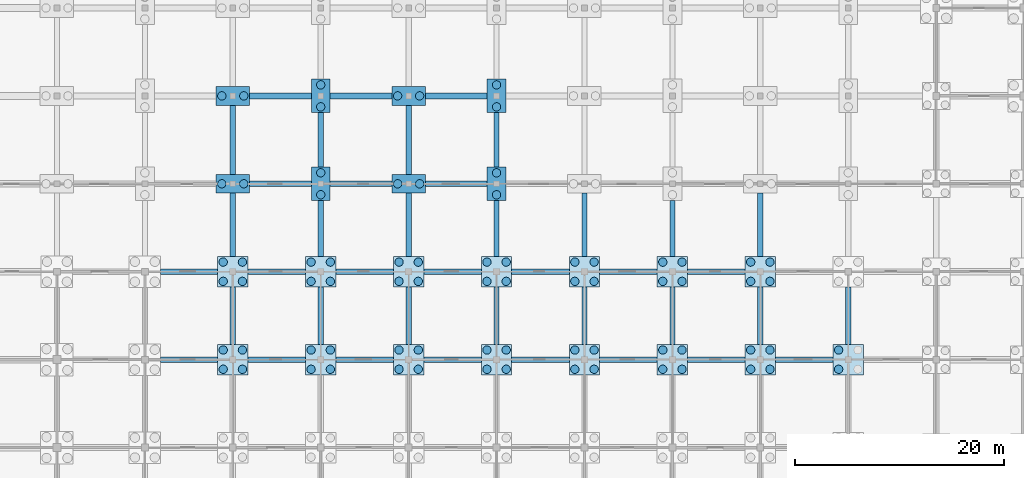
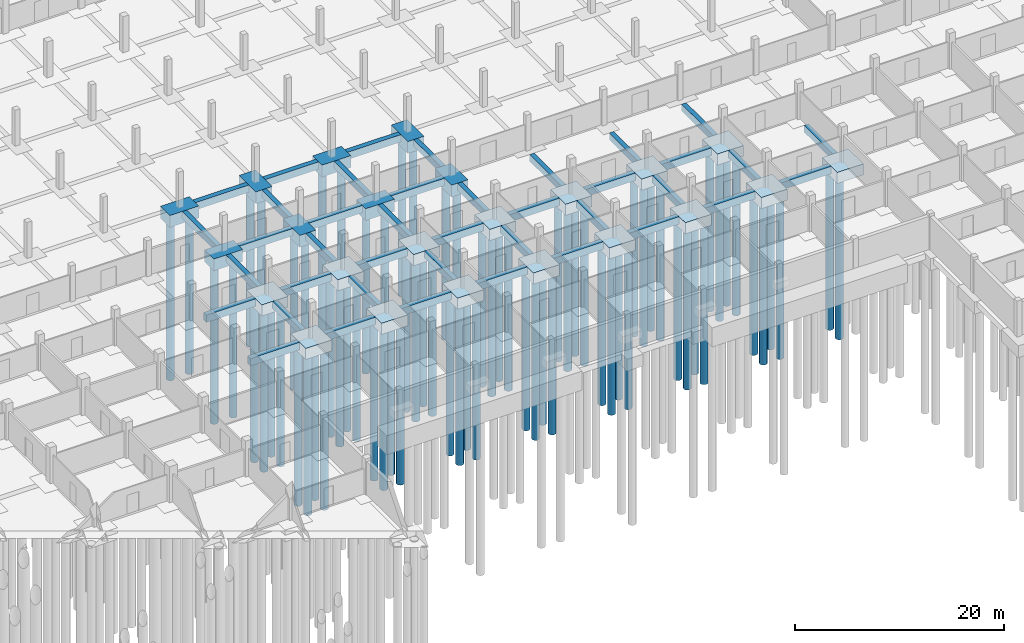
# One storey, part 5 of 43: 74 piles, 63 footings.
"""IFC4 building model written with IfcOpenShell, lengths in metres."""

from ifc_helpers import new_model, si_unit, direction, frame, origin, origin_2d, place, context, subcontext, project, spatial, rectangle, circle, extrude, material, material_profile, profile_set, type_object, element, save


model = new_model("IFC4")

# Units and contexts
model_context = context("Model", 3, precision=1e-05, world=origin(), true_north=direction((0.0, 1.0)))
body_context = subcontext(model_context, "Body", "Model", "MODEL_VIEW")
ifc_project = project(units=[si_unit("LENGTHUNIT", "METRE"), si_unit("AREAUNIT", "SQUARE_METRE"), si_unit("VOLUMEUNIT", "CUBIC_METRE"), si_unit("PLANEANGLEUNIT", "RADIAN"), si_unit("MASSUNIT", "GRAM", prefix="KILO")], contexts=[model_context])

# Site, building, storey
site_placement = place(None, origin())
site = spatial("IfcSite", under=ifc_project, at=site_placement, CompositionType="ELEMENT")
building_placement = place(site_placement, origin())
building = spatial("IfcBuilding", under=site, at=building_placement, Name="Varnapada Polytechnic", CompositionType="ELEMENT")
storey_placement = place(building_placement, frame((0.0, 0.0, -4.199951171875)))
storey = spatial("IfcBuildingStorey", under=building, at=storey_placement, Name="B1", CompositionType="ELEMENT", Elevation=-4.199951171875)

# Piles
ifc_material = material(Name="Concrete C40/50", Category="concrete")
ifc_material_profile = material_profile(ifc_material, circle(Radius=0.39990234375, at=origin_2d()), Name="BP 800")
ifc_profile_set = profile_set([ifc_material_profile], Name="Concrete C40/50")
pile_type = type_object("IfcPileType", Name="Bored Pile BP 800", PredefinedType="BORED", material=ifc_profile_set)
for number, where, z_axis, x_axis, name in (
    (1, (66.280029296875, 32.679931640625, -1.199951171875), (0.0, 0.0, -1.0), (1.0, 0.0, 0.0), "Bored pile P-03 under CAP-08-04 (1)"),
    (2, (68.1201171875, 32.679931640625, -1.199951171875), (0.0, 0.0, -1.0), (1.0, 0.0, 0.0), "Bored pile P-03 under CAP-08-04 (2)"),
    (3, (66.280029296875, 34.52001953125, -1.199951171875), (0.0, 0.0, -1.0), (1.0, 0.0, 0.0), "Bored pile P-03 under CAP-08-04 (3)"),
    (4, (68.1201171875, 34.52001953125, -1.199951171875), (0.0, 0.0, -1.0), (1.0, 0.0, 0.0), "Bored pile P-03 under CAP-08-04 (4)"),
    (5, (66.280029296875, 41.080078125, -1.199951171875), (0.0, 0.0, -1.0), (1.0, 0.0, 0.0), "Bored pile P-03 under CAP-08-05 (1)"),
    (6, (68.1201171875, 41.080078125, -1.199951171875), (0.0, 0.0, -1.0), (1.0, 0.0, 0.0), "Bored pile P-03 under CAP-08-05 (2)"),
    (7, (66.280029296875, 42.919921875, -1.199951171875), (0.0, 0.0, -1.0), (1.0, 0.0, 0.0), "Bored pile P-03 under CAP-08-05 (3)"),
    (8, (68.1201171875, 42.919921875, -1.199951171875), (0.0, 0.0, -1.0), (1.0, 0.0, 0.0), "Bored pile P-03 under CAP-08-05 (4)"),
):
    element("IfcPile", number, at=place(storey_placement, frame(where, z_axis=z_axis, x_axis=x_axis)), inside=storey, type_object=pile_type, Name=name, PredefinedType="BORED", context=body_context, shape_type="SweptSolid", body=[
        extrude(circle(Radius=0.39990234375, at=origin_2d()), origin(), (0.0, 0.0, 1.0), 18.60009765625),
    ])
for number, where, z_axis, x_axis, name in (
    (9, (66.14990234375, 50.39990234375, -1.300048828125), (0.0, 0.0, -1.0), (1.0, 0.0, 0.0), "Bored pile P-03 under CAP-08-06 (1)"),
    (10, (68.25, 50.39990234375, -1.300048828125), (0.0, 0.0, -1.0), (1.0, 0.0, 0.0), "Bored pile P-03 under CAP-08-06 (2)"),
    (11, (66.14990234375, 58.800048828125, -1.300048828125), (0.0, 0.0, -1.0), (1.0, 0.0, 0.0), "Bored pile P-03 under CAP-08-07 (1)"),
    (12, (68.25, 58.800048828125, -1.300048828125), (0.0, 0.0, -1.0), (1.0, 0.0, 0.0), "Bored pile P-03 under CAP-08-07 (2)"),
):
    element("IfcPile", number, at=place(storey_placement, frame(where, z_axis=z_axis, x_axis=x_axis)), inside=storey, type_object=pile_type, Name=name, PredefinedType="BORED", context=body_context, shape_type="SweptSolid", body=[
        extrude(circle(Radius=0.39990234375, at=origin_2d()), origin(), (0.0, 0.0, 1.0), 18.5),
    ])
for number, where, z_axis, x_axis, name in (
    (13, (74.679931640625, 32.679931640625, -1.199951171875), (0.0, 0.0, -1.0), (1.0, 0.0, 0.0), "Bored pile P-03 under CAP-09-04 (1)"),
    (14, (76.52001953125, 32.679931640625, -1.199951171875), (0.0, 0.0, -1.0), (1.0, 0.0, 0.0), "Bored pile P-03 under CAP-09-04 (2)"),
    (15, (74.679931640625, 34.52001953125, -1.199951171875), (0.0, 0.0, -1.0), (1.0, 0.0, 0.0), "Bored pile P-03 under CAP-09-04 (3)"),
    (16, (76.52001953125, 34.52001953125, -1.199951171875), (0.0, 0.0, -1.0), (1.0, 0.0, 0.0), "Bored pile P-03 under CAP-09-04 (4)"),
    (17, (74.679931640625, 41.080078125, -1.199951171875), (0.0, 0.0, -1.0), (1.0, 0.0, 0.0), "Bored pile P-03 under CAP-09-05 (1)"),
    (18, (76.52001953125, 41.080078125, -1.199951171875), (0.0, 0.0, -1.0), (1.0, 0.0, 0.0), "Bored pile P-03 under CAP-09-05 (2)"),
    (19, (74.679931640625, 42.919921875, -1.199951171875), (0.0, 0.0, -1.0), (1.0, 0.0, 0.0), "Bored pile P-03 under CAP-09-05 (3)"),
    (20, (76.52001953125, 42.919921875, -1.199951171875), (0.0, 0.0, -1.0), (1.0, 0.0, 0.0), "Bored pile P-03 under CAP-09-05 (4)"),
):
    element("IfcPile", number, at=place(storey_placement, frame(where, z_axis=z_axis, x_axis=x_axis)), inside=storey, type_object=pile_type, Name=name, PredefinedType="BORED", context=body_context, shape_type="SweptSolid", body=[
        extrude(circle(Radius=0.39990234375, at=origin_2d()), origin(), (0.0, 0.0, 1.0), 18.60009765625),
    ])
for number, where, z_axis, x_axis, name in (
    (21, (75.60009765625, 49.35009765625, -1.300048828125), (0.0, 0.0, -1.0), (1.0, 0.0, 0.0), "Bored pile P-03 under CAP-09-06 (1)"),
    (22, (75.60009765625, 51.449951171875, -1.300048828125), (0.0, 0.0, -1.0), (1.0, 0.0, 0.0), "Bored pile P-03 under CAP-09-06 (2)"),
    (23, (75.60009765625, 57.75, -1.300048828125), (0.0, 0.0, -1.0), (1.0, 0.0, 0.0), "Bored pile P-03 under CAP-09-07 (1)"),
    (24, (75.60009765625, 59.85009765625, -1.300048828125), (0.0, 0.0, -1.0), (1.0, 0.0, 0.0), "Bored pile P-03 under CAP-09-07 (2)"),
):
    element("IfcPile", number, at=place(storey_placement, frame(where, z_axis=z_axis, x_axis=x_axis)), inside=storey, type_object=pile_type, Name=name, PredefinedType="BORED", context=body_context, shape_type="SweptSolid", body=[
        extrude(circle(Radius=0.39990234375, at=origin_2d()), origin(), (0.0, 0.0, 1.0), 18.5),
    ])
for number, where, z_axis, x_axis, name in (
    (25, (83.080078125, 32.679931640625, -1.199951171875), (0.0, 0.0, -1.0), (1.0, 0.0, 0.0), "Bored pile P-03 under CAP-10-04 (1)"),
    (26, (84.919921875, 32.679931640625, -1.199951171875), (0.0, 0.0, -1.0), (1.0, 0.0, 0.0), "Bored pile P-03 under CAP-10-04 (2)"),
    (27, (83.080078125, 34.52001953125, -1.199951171875), (0.0, 0.0, -1.0), (1.0, 0.0, 0.0), "Bored pile P-03 under CAP-10-04 (3)"),
    (28, (84.919921875, 34.52001953125, -1.199951171875), (0.0, 0.0, -1.0), (1.0, 0.0, 0.0), "Bored pile P-03 under CAP-10-04 (4)"),
    (29, (83.080078125, 41.080078125, -1.199951171875), (0.0, 0.0, -1.0), (1.0, 0.0, 0.0), "Bored pile P-03 under CAP-10-05 (1)"),
    (30, (84.919921875, 41.080078125, -1.199951171875), (0.0, 0.0, -1.0), (1.0, 0.0, 0.0), "Bored pile P-03 under CAP-10-05 (2)"),
    (31, (83.080078125, 42.919921875, -1.199951171875), (0.0, 0.0, -1.0), (1.0, 0.0, 0.0), "Bored pile P-03 under CAP-10-05 (3)"),
    (32, (84.919921875, 42.919921875, -1.199951171875), (0.0, 0.0, -1.0), (1.0, 0.0, 0.0), "Bored pile P-03 under CAP-10-05 (4)"),
):
    element("IfcPile", number, at=place(storey_placement, frame(where, z_axis=z_axis, x_axis=x_axis)), inside=storey, type_object=pile_type, Name=name, PredefinedType="BORED", context=body_context, shape_type="SweptSolid", body=[
        extrude(circle(Radius=0.39990234375, at=origin_2d()), origin(), (0.0, 0.0, 1.0), 18.60009765625),
    ])
for number, where, z_axis, x_axis, name in (
    (33, (82.949951171875, 50.39990234375, -1.300048828125), (0.0, 0.0, -1.0), (1.0, 0.0, 0.0), "Bored pile P-03 under CAP-10-06 (1)"),
    (34, (85.050048828125, 50.39990234375, -1.300048828125), (0.0, 0.0, -1.0), (1.0, 0.0, 0.0), "Bored pile P-03 under CAP-10-06 (2)"),
    (35, (82.949951171875, 58.800048828125, -1.300048828125), (0.0, 0.0, -1.0), (1.0, 0.0, 0.0), "Bored pile P-03 under CAP-10-07 (1)"),
    (36, (85.050048828125, 58.800048828125, -1.300048828125), (0.0, 0.0, -1.0), (1.0, 0.0, 0.0), "Bored pile P-03 under CAP-10-07 (2)"),
):
    element("IfcPile", number, at=place(storey_placement, frame(where, z_axis=z_axis, x_axis=x_axis)), inside=storey, type_object=pile_type, Name=name, PredefinedType="BORED", context=body_context, shape_type="SweptSolid", body=[
        extrude(circle(Radius=0.39990234375, at=origin_2d()), origin(), (0.0, 0.0, 1.0), 18.5),
    ])
for number, where, z_axis, x_axis, name in (
    (37, (91.47998046875, 32.679931640625, -1.199951171875), (0.0, 0.0, -1.0), (1.0, 0.0, 0.0), "Bored pile P-03 under CAP-11-04 (1)"),
    (38, (93.320068359375, 32.679931640625, -1.199951171875), (0.0, 0.0, -1.0), (1.0, 0.0, 0.0), "Bored pile P-03 under CAP-11-04 (2)"),
    (39, (91.47998046875, 34.52001953125, -1.199951171875), (0.0, 0.0, -1.0), (1.0, 0.0, 0.0), "Bored pile P-03 under CAP-11-04 (3)"),
    (40, (93.320068359375, 34.52001953125, -1.199951171875), (0.0, 0.0, -1.0), (1.0, 0.0, 0.0), "Bored pile P-03 under CAP-11-04 (4)"),
    (41, (91.47998046875, 41.080078125, -1.199951171875), (0.0, 0.0, -1.0), (1.0, 0.0, 0.0), "Bored pile P-03 under CAP-11-05 (1)"),
    (42, (93.320068359375, 41.080078125, -1.199951171875), (0.0, 0.0, -1.0), (1.0, 0.0, 0.0), "Bored pile P-03 under CAP-11-05 (2)"),
    (43, (91.47998046875, 42.919921875, -1.199951171875), (0.0, 0.0, -1.0), (1.0, 0.0, 0.0), "Bored pile P-03 under CAP-11-05 (3)"),
    (44, (93.320068359375, 42.919921875, -1.199951171875), (0.0, 0.0, -1.0), (1.0, 0.0, 0.0), "Bored pile P-03 under CAP-11-05 (4)"),
):
    element("IfcPile", number, at=place(storey_placement, frame(where, z_axis=z_axis, x_axis=x_axis)), inside=storey, type_object=pile_type, Name=name, PredefinedType="BORED", context=body_context, shape_type="SweptSolid", body=[
        extrude(circle(Radius=0.39990234375, at=origin_2d()), origin(), (0.0, 0.0, 1.0), 18.60009765625),
    ])
for number, where, z_axis, x_axis, name in (
    (45, (92.39990234375, 49.35009765625, -1.300048828125), (0.0, 0.0, -1.0), (1.0, 0.0, 0.0), "Bored pile P-03 under CAP-11-06 (1)"),
    (46, (92.39990234375, 51.449951171875, -1.300048828125), (0.0, 0.0, -1.0), (1.0, 0.0, 0.0), "Bored pile P-03 under CAP-11-06 (2)"),
    (47, (92.39990234375, 57.75, -1.300048828125), (0.0, 0.0, -1.0), (1.0, 0.0, 0.0), "Bored pile P-03 under CAP-11-07 (1)"),
    (48, (92.39990234375, 59.85009765625, -1.300048828125), (0.0, 0.0, -1.0), (1.0, 0.0, 0.0), "Bored pile P-03 under CAP-11-07 (2)"),
):
    element("IfcPile", number, at=place(storey_placement, frame(where, z_axis=z_axis, x_axis=x_axis)), inside=storey, type_object=pile_type, Name=name, PredefinedType="BORED", context=body_context, shape_type="SweptSolid", body=[
        extrude(circle(Radius=0.39990234375, at=origin_2d()), origin(), (0.0, 0.0, 1.0), 18.5),
    ])
for number, where, z_axis, x_axis, name in (
    (49, (99.8798828125, 32.679931640625, -1.199951171875), (0.0, 0.0, -1.0), (1.0, 0.0, 0.0), "Bored pile P-03 under CAP-12-04 (1)"),
    (50, (101.719970703125, 32.679931640625, -1.199951171875), (0.0, 0.0, -1.0), (1.0, 0.0, 0.0), "Bored pile P-03 under CAP-12-04 (2)"),
    (51, (99.8798828125, 34.52001953125, -1.199951171875), (0.0, 0.0, -1.0), (1.0, 0.0, 0.0), "Bored pile P-03 under CAP-12-04 (3)"),
    (52, (101.719970703125, 34.52001953125, -1.199951171875), (0.0, 0.0, -1.0), (1.0, 0.0, 0.0), "Bored pile P-03 under CAP-12-04 (4)"),
    (53, (99.8798828125, 41.080078125, -1.199951171875), (0.0, 0.0, -1.0), (1.0, 0.0, 0.0), "Bored pile P-03 under CAP-12-05 (1)"),
    (54, (101.719970703125, 41.080078125, -1.199951171875), (0.0, 0.0, -1.0), (1.0, 0.0, 0.0), "Bored pile P-03 under CAP-12-05 (2)"),
    (55, (99.8798828125, 42.919921875, -1.199951171875), (0.0, 0.0, -1.0), (1.0, 0.0, 0.0), "Bored pile P-03 under CAP-12-05 (3)"),
    (56, (101.719970703125, 42.919921875, -1.199951171875), (0.0, 0.0, -1.0), (1.0, 0.0, 0.0), "Bored pile P-03 under CAP-12-05 (4)"),
    (57, (108.280029296875, 32.679931640625, -1.199951171875), (0.0, 0.0, -1.0), (1.0, 0.0, 0.0), "Bored pile P-03 under CAP-13-04 (1)"),
    (58, (110.1201171875, 32.679931640625, -1.199951171875), (0.0, 0.0, -1.0), (1.0, 0.0, 0.0), "Bored pile P-03 under CAP-13-04 (2)"),
    (59, (108.280029296875, 34.52001953125, -1.199951171875), (0.0, 0.0, -1.0), (1.0, 0.0, 0.0), "Bored pile P-03 under CAP-13-04 (3)"),
    (60, (110.1201171875, 34.52001953125, -1.199951171875), (0.0, 0.0, -1.0), (1.0, 0.0, 0.0), "Bored pile P-03 under CAP-13-04 (4)"),
    (61, (108.280029296875, 41.080078125, -1.199951171875), (0.0, 0.0, -1.0), (1.0, 0.0, 0.0), "Bored pile P-03 under CAP-13-05 (1)"),
    (62, (110.1201171875, 41.080078125, -1.199951171875), (0.0, 0.0, -1.0), (1.0, 0.0, 0.0), "Bored pile P-03 under CAP-13-05 (2)"),
    (63, (108.280029296875, 42.919921875, -1.199951171875), (0.0, 0.0, -1.0), (1.0, 0.0, 0.0), "Bored pile P-03 under CAP-13-05 (3)"),
    (64, (110.1201171875, 42.919921875, -1.199951171875), (0.0, 0.0, -1.0), (1.0, 0.0, 0.0), "Bored pile P-03 under CAP-13-05 (4)"),
    (65, (116.679931640625, 32.679931640625, -1.199951171875), (0.0, 0.0, -1.0), (1.0, 0.0, 0.0), "Bored pile P-03 under CAP-14-04 (1)"),
    (66, (118.52001953125, 32.679931640625, -1.199951171875), (0.0, 0.0, -1.0), (1.0, 0.0, 0.0), "Bored pile P-03 under CAP-14-04 (2)"),
    (67, (116.679931640625, 34.52001953125, -1.199951171875), (0.0, 0.0, -1.0), (1.0, 0.0, 0.0), "Bored pile P-03 under CAP-14-04 (3)"),
    (68, (118.52001953125, 34.52001953125, -1.199951171875), (0.0, 0.0, -1.0), (1.0, 0.0, 0.0), "Bored pile P-03 under CAP-14-04 (4)"),
    (69, (116.679931640625, 41.080078125, -1.199951171875), (0.0, 0.0, -1.0), (1.0, 0.0, 0.0), "Bored pile P-03 under CAP-14-05 (1)"),
    (70, (118.52001953125, 41.080078125, -1.199951171875), (0.0, 0.0, -1.0), (1.0, 0.0, 0.0), "Bored pile P-03 under CAP-14-05 (2)"),
    (71, (116.679931640625, 42.919921875, -1.199951171875), (0.0, 0.0, -1.0), (1.0, 0.0, 0.0), "Bored pile P-03 under CAP-14-05 (3)"),
    (72, (118.52001953125, 42.919921875, -1.199951171875), (0.0, 0.0, -1.0), (1.0, 0.0, 0.0), "Bored pile P-03 under CAP-14-05 (4)"),
    (73, (125.080078125, 32.679931640625, -1.199951171875), (0.0, 0.0, -1.0), (1.0, 0.0, 0.0), "Bored pile P-03 under CAP-15-04 (1)"),
    (74, (125.080078125, 34.52001953125, -1.199951171875), (0.0, 0.0, -1.0), (1.0, 0.0, 0.0), "Bored pile P-03 under CAP-15-04 (3)"),
):
    element("IfcPile", number, at=place(storey_placement, frame(where, z_axis=z_axis, x_axis=x_axis)), inside=storey, type_object=pile_type, Name=name, PredefinedType="BORED", context=body_context, shape_type="SweptSolid", body=[
        extrude(circle(Radius=0.39990234375, at=origin_2d()), origin(), (0.0, 0.0, 1.0), 18.60009765625),
    ])

# Footings
footing_type_1 = type_object("IfcFootingType", Name="Footing GB-02", PredefinedType="FOOTING_BEAM", material=ifc_material)
footing_1_placement = place(storey_placement, frame((67.199951171875, 37.800048828125, -0.80029296875), z_axis=(0.0, 0.0, 1.0), x_axis=(0.0, 1.0, 0.0)))
element("IfcFooting", 75, at=footing_1_placement, inside=storey, type_object=footing_type_1, Name="Ground footing beam GB-02 Y 5-6", PredefinedType="FOOTING_BEAM", context=body_context, shape_type="SweptSolid", body=[
    extrude(rectangle(XDim=5.5, YDim=0.5, at=origin_2d()), origin(), (0.0, 0.0, 1.0), 0.800048828125),
])
footing_2_placement = place(storey_placement, frame((67.199951171875, 46.47509765625, -0.80029296875), z_axis=(0.0, 0.0, 1.0), x_axis=(0.0, 1.0, 0.0)))
element("IfcFooting", 76, at=footing_2_placement, inside=storey, type_object=footing_type_1, Name="Ground footing beam GB-02 Y 6-7", PredefinedType="FOOTING_BEAM", context=body_context, shape_type="SweptSolid", body=[
    extrude(rectangle(XDim=6.050048828125, YDim=0.5, at=origin_2d()), origin(), (0.0, 0.0, 1.0), 0.800048828125),
])
footing_3_placement = place(storey_placement, frame((67.199951171875, 54.60009765625, -0.80029296875), z_axis=(0.0, 0.0, 1.0), x_axis=(0.0, 1.0, 0.0)))
element("IfcFooting", 77, at=footing_3_placement, inside=storey, type_object=footing_type_1, Name="Ground footing beam GB-02 Y 7-8", PredefinedType="FOOTING_BEAM", context=body_context, shape_type="SweptSolid", body=[
    extrude(rectangle(XDim=6.60009765625, YDim=0.5, at=origin_2d()), origin(), (0.0, 0.0, 1.0), 0.800048828125),
])
footing_4_placement = place(storey_placement, frame((75.60009765625, 37.800048828125, -0.80029296875), z_axis=(0.0, 0.0, 1.0), x_axis=(0.0, 1.0, 0.0)))
element("IfcFooting", 78, at=footing_4_placement, inside=storey, type_object=footing_type_1, Name="Ground footing beam GB-02 Y 5-6", PredefinedType="FOOTING_BEAM", context=body_context, shape_type="SweptSolid", body=[
    extrude(rectangle(XDim=5.5, YDim=0.5, at=origin_2d()), origin(), (0.0, 0.0, 1.0), 0.800048828125),
])
footing_5_placement = place(storey_placement, frame((75.60009765625, 46.125, -0.80029296875), z_axis=(0.0, 0.0, 1.0), x_axis=(0.0, 1.0, 0.0)))
element("IfcFooting", 79, at=footing_5_placement, inside=storey, type_object=footing_type_1, Name="Ground footing beam GB-02 Y 6-7", PredefinedType="FOOTING_BEAM", context=body_context, shape_type="SweptSolid", body=[
    extrude(rectangle(XDim=5.35009765625, YDim=0.5, at=origin_2d()), origin(), (0.0, 0.0, 1.0), 0.800048828125),
])
footing_6_placement = place(storey_placement, frame((75.60009765625, 54.60009765625, -0.80029296875), z_axis=(0.0, 0.0, 1.0), x_axis=(0.0, 1.0, 0.0)))
element("IfcFooting", 80, at=footing_6_placement, inside=storey, type_object=footing_type_1, Name="Ground footing beam GB-02 Y 7-8", PredefinedType="FOOTING_BEAM", context=body_context, shape_type="SweptSolid", body=[
    extrude(rectangle(XDim=5.199951171875, YDim=0.5, at=origin_2d()), origin(), (0.0, 0.0, 1.0), 0.800048828125),
])
footing_7_placement = place(storey_placement, frame((84.0, 37.800048828125, -0.80029296875), z_axis=(0.0, 0.0, 1.0), x_axis=(0.0, 1.0, 0.0)))
element("IfcFooting", 81, at=footing_7_placement, inside=storey, type_object=footing_type_1, Name="Ground footing beam GB-02 Y 5-6", PredefinedType="FOOTING_BEAM", context=body_context, shape_type="SweptSolid", body=[
    extrude(rectangle(XDim=5.5, YDim=0.5, at=origin_2d()), origin(), (0.0, 0.0, 1.0), 0.800048828125),
])
footing_8_placement = place(storey_placement, frame((84.0, 46.47509765625, -0.80029296875), z_axis=(0.0, 0.0, 1.0), x_axis=(0.0, 1.0, 0.0)))
element("IfcFooting", 82, at=footing_8_placement, inside=storey, type_object=footing_type_1, Name="Ground footing beam GB-02 Y 6-7", PredefinedType="FOOTING_BEAM", context=body_context, shape_type="SweptSolid", body=[
    extrude(rectangle(XDim=6.050048828125, YDim=0.5, at=origin_2d()), origin(), (0.0, 0.0, 1.0), 0.800048828125),
])
footing_9_placement = place(storey_placement, frame((84.0, 54.60009765625, -0.80029296875), z_axis=(0.0, 0.0, 1.0), x_axis=(0.0, 1.0, 0.0)))
element("IfcFooting", 83, at=footing_9_placement, inside=storey, type_object=footing_type_1, Name="Ground footing beam GB-02 Y 7-8", PredefinedType="FOOTING_BEAM", context=body_context, shape_type="SweptSolid", body=[
    extrude(rectangle(XDim=6.60009765625, YDim=0.5, at=origin_2d()), origin(), (0.0, 0.0, 1.0), 0.800048828125),
])
footing_10_placement = place(storey_placement, frame((92.39990234375, 37.800048828125, -0.80029296875), z_axis=(0.0, 0.0, 1.0), x_axis=(0.0, 1.0, 0.0)))
element("IfcFooting", 84, at=footing_10_placement, inside=storey, type_object=footing_type_1, Name="Ground footing beam GB-02 Y 5-6", PredefinedType="FOOTING_BEAM", context=body_context, shape_type="SweptSolid", body=[
    extrude(rectangle(XDim=5.5, YDim=0.5, at=origin_2d()), origin(), (0.0, 0.0, 1.0), 0.800048828125),
])
footing_11_placement = place(storey_placement, frame((92.39990234375, 46.125, -0.80029296875), z_axis=(0.0, 0.0, 1.0), x_axis=(0.0, 1.0, 0.0)))
element("IfcFooting", 85, at=footing_11_placement, inside=storey, type_object=footing_type_1, Name="Ground footing beam GB-02 Y 6-7", PredefinedType="FOOTING_BEAM", context=body_context, shape_type="SweptSolid", body=[
    extrude(rectangle(XDim=5.35009765625, YDim=0.5, at=origin_2d()), origin(), (0.0, 0.0, 1.0), 0.800048828125),
])
footing_12_placement = place(storey_placement, frame((92.39990234375, 54.60009765625, -0.80029296875), z_axis=(0.0, 0.0, 1.0), x_axis=(0.0, 1.0, 0.0)))
element("IfcFooting", 86, at=footing_12_placement, inside=storey, type_object=footing_type_1, Name="Ground footing beam GB-02 Y 7-8", PredefinedType="FOOTING_BEAM", context=body_context, shape_type="SweptSolid", body=[
    extrude(rectangle(XDim=5.199951171875, YDim=0.5, at=origin_2d()), origin(), (0.0, 0.0, 1.0), 0.800048828125),
])
footing_13_placement = place(storey_placement, frame((100.800048828125, 37.800048828125, -0.80029296875), z_axis=(0.0, 0.0, 1.0), x_axis=(0.0, 1.0, 0.0)))
element("IfcFooting", 87, at=footing_13_placement, inside=storey, type_object=footing_type_1, Name="Ground footing beam GB-02 Y 5-6", PredefinedType="FOOTING_BEAM", context=body_context, shape_type="SweptSolid", body=[
    extrude(rectangle(XDim=5.5, YDim=0.5, at=origin_2d()), origin(), (0.0, 0.0, 1.0), 0.800048828125),
])
footing_14_placement = place(storey_placement, frame((100.800048828125, 46.47509765625, -0.80029296875), z_axis=(0.0, 0.0, 1.0), x_axis=(0.0, 1.0, 0.0)))
element("IfcFooting", 88, at=footing_14_placement, inside=storey, type_object=footing_type_1, Name="Ground footing beam GB-02 Y 6-7", PredefinedType="FOOTING_BEAM", context=body_context, shape_type="SweptSolid", body=[
    extrude(rectangle(XDim=6.050048828125, YDim=0.5, at=origin_2d()), origin(), (0.0, 0.0, 1.0), 0.800048828125),
])
footing_15_placement = place(storey_placement, frame((109.199951171875, 37.800048828125, -0.80029296875), z_axis=(0.0, 0.0, 1.0), x_axis=(0.0, 1.0, 0.0)))
element("IfcFooting", 89, at=footing_15_placement, inside=storey, type_object=footing_type_1, Name="Ground footing beam GB-02 Y 5-6", PredefinedType="FOOTING_BEAM", context=body_context, shape_type="SweptSolid", body=[
    extrude(rectangle(XDim=5.5, YDim=0.5, at=origin_2d()), origin(), (0.0, 0.0, 1.0), 0.800048828125),
])
footing_16_placement = place(storey_placement, frame((109.199951171875, 46.125, -0.80029296875), z_axis=(0.0, 0.0, 1.0), x_axis=(0.0, 1.0, 0.0)))
element("IfcFooting", 90, at=footing_16_placement, inside=storey, type_object=footing_type_1, Name="Ground footing beam GB-02 Y 6-7", PredefinedType="FOOTING_BEAM", context=body_context, shape_type="SweptSolid", body=[
    extrude(rectangle(XDim=5.35009765625, YDim=0.5, at=origin_2d()), origin(), (0.0, 0.0, 1.0), 0.800048828125),
])
footing_17_placement = place(storey_placement, frame((117.60009765625, 37.800048828125, -0.80029296875), z_axis=(0.0, 0.0, 1.0), x_axis=(0.0, 1.0, 0.0)))
element("IfcFooting", 91, at=footing_17_placement, inside=storey, type_object=footing_type_1, Name="Ground footing beam GB-02 Y 5-6", PredefinedType="FOOTING_BEAM", context=body_context, shape_type="SweptSolid", body=[
    extrude(rectangle(XDim=5.5, YDim=0.5, at=origin_2d()), origin(), (0.0, 0.0, 1.0), 0.800048828125),
])
footing_18_placement = place(storey_placement, frame((117.60009765625, 46.47509765625, -0.80029296875), z_axis=(0.0, 0.0, 1.0), x_axis=(0.0, 1.0, 0.0)))
element("IfcFooting", 92, at=footing_18_placement, inside=storey, type_object=footing_type_1, Name="Ground footing beam GB-02 Y 6-7", PredefinedType="FOOTING_BEAM", context=body_context, shape_type="SweptSolid", body=[
    extrude(rectangle(XDim=6.050048828125, YDim=0.5, at=origin_2d()), origin(), (0.0, 0.0, 1.0), 0.800048828125),
])
footing_19_placement = place(storey_placement, frame((126.0, 37.800048828125, -0.80029296875), z_axis=(0.0, 0.0, 1.0), x_axis=(0.0, 1.0, 0.0)))
element("IfcFooting", 93, at=footing_19_placement, inside=storey, type_object=footing_type_1, Name="Ground footing beam GB-02 Y 5-6", PredefinedType="FOOTING_BEAM", context=body_context, shape_type="SweptSolid", body=[
    extrude(rectangle(XDim=5.5, YDim=0.5, at=origin_2d()), origin(), (0.0, 0.0, 1.0), 0.800048828125),
])
footing_type_2 = type_object("IfcFootingType", Name="Footing GB-04", PredefinedType="FOOTING_BEAM", material=ifc_material)
for number, where, z_axis, x_axis, name in (
    (94, (63.02490234375, 33.60009765625, -0.85009765625), (0.0, 0.0, 1.0), (1.0, 0.0, 0.0), "Ground footing beam GB-04 X 8-9"),
    (95, (63.02490234375, 42.0, -0.85009765625), (0.0, 0.0, 1.0), (1.0, 0.0, 0.0), "Ground footing beam GB-04 X 8-9"),
):
    element("IfcFooting", number, at=place(storey_placement, frame(where, z_axis=z_axis, x_axis=x_axis)), inside=storey, type_object=footing_type_2, Name=name, PredefinedType="FOOTING_BEAM", context=body_context, shape_type="SweptSolid", body=[
        extrude(rectangle(XDim=5.449951171875, YDim=0.550048828125, at=origin_2d()), origin(), (0.0, 0.0, 1.0), 0.85009765625),
    ])
for number, where, z_axis, x_axis, name in (
    (96, (71.39990234375, 33.60009765625, -0.85009765625), (0.0, 0.0, 1.0), (1.0, 0.0, 0.0), "Ground footing beam GB-04 X 9-10"),
    (97, (71.39990234375, 42.0, -0.85009765625), (0.0, 0.0, 1.0), (1.0, 0.0, 0.0), "Ground footing beam GB-04 X 9-10"),
):
    element("IfcFooting", number, at=place(storey_placement, frame(where, z_axis=z_axis, x_axis=x_axis)), inside=storey, type_object=footing_type_2, Name=name, PredefinedType="FOOTING_BEAM", context=body_context, shape_type="SweptSolid", body=[
        extrude(rectangle(XDim=5.5, YDim=0.550048828125, at=origin_2d()), origin(), (0.0, 0.0, 1.0), 0.85009765625),
    ])
for number, where, z_axis, x_axis, name in (
    (98, (71.75, 50.39990234375, -0.85009765625), (0.0, 0.0, 1.0), (1.0, 0.0, 0.0), "Ground footing beam GB-04 X 9-10"),
    (99, (71.75, 58.800048828125, -0.85009765625), (0.0, 0.0, 1.0), (1.0, 0.0, 0.0), "Ground footing beam GB-04 X 9-10"),
):
    element("IfcFooting", number, at=place(storey_placement, frame(where, z_axis=z_axis, x_axis=x_axis)), inside=storey, type_object=footing_type_2, Name=name, PredefinedType="FOOTING_BEAM", context=body_context, shape_type="SweptSolid", body=[
        extrude(rectangle(XDim=5.89990234375, YDim=0.550048828125, at=origin_2d()), origin(), (0.0, 0.0, 1.0), 0.85009765625),
    ])
for number, where, z_axis, x_axis, name in (
    (100, (79.800048828125, 33.60009765625, -0.85009765625), (0.0, 0.0, 1.0), (1.0, 0.0, 0.0), "Ground footing beam GB-04 X 10-11"),
    (101, (79.800048828125, 42.0, -0.85009765625), (0.0, 0.0, 1.0), (1.0, 0.0, 0.0), "Ground footing beam GB-04 X 10-11"),
):
    element("IfcFooting", number, at=place(storey_placement, frame(where, z_axis=z_axis, x_axis=x_axis)), inside=storey, type_object=footing_type_2, Name=name, PredefinedType="FOOTING_BEAM", context=body_context, shape_type="SweptSolid", body=[
        extrude(rectangle(XDim=5.5, YDim=0.550048828125, at=origin_2d()), origin(), (0.0, 0.0, 1.0), 0.85009765625),
    ])
for number, where, z_axis, x_axis, name in (
    (102, (79.449951171875, 50.39990234375, -0.85009765625), (0.0, 0.0, 1.0), (1.0, 0.0, 0.0), "Ground footing beam GB-04 X 10-11"),
    (103, (79.449951171875, 58.800048828125, -0.85009765625), (0.0, 0.0, 1.0), (1.0, 0.0, 0.0), "Ground footing beam GB-04 X 10-11"),
):
    element("IfcFooting", number, at=place(storey_placement, frame(where, z_axis=z_axis, x_axis=x_axis)), inside=storey, type_object=footing_type_2, Name=name, PredefinedType="FOOTING_BEAM", context=body_context, shape_type="SweptSolid", body=[
        extrude(rectangle(XDim=5.89990234375, YDim=0.550048828125, at=origin_2d()), origin(), (0.0, 0.0, 1.0), 0.85009765625),
    ])
for number, where, z_axis, x_axis, name in (
    (104, (88.199951171875, 33.60009765625, -0.85009765625), (0.0, 0.0, 1.0), (1.0, 0.0, 0.0), "Ground footing beam GB-04 X 11-12"),
    (105, (88.199951171875, 42.0, -0.85009765625), (0.0, 0.0, 1.0), (1.0, 0.0, 0.0), "Ground footing beam GB-04 X 11-12"),
):
    element("IfcFooting", number, at=place(storey_placement, frame(where, z_axis=z_axis, x_axis=x_axis)), inside=storey, type_object=footing_type_2, Name=name, PredefinedType="FOOTING_BEAM", context=body_context, shape_type="SweptSolid", body=[
        extrude(rectangle(XDim=5.5, YDim=0.550048828125, at=origin_2d()), origin(), (0.0, 0.0, 1.0), 0.85009765625),
    ])
for number, where, z_axis, x_axis, name in (
    (106, (88.550048828125, 50.39990234375, -0.85009765625), (0.0, 0.0, 1.0), (1.0, 0.0, 0.0), "Ground footing beam GB-04 X 11-12"),
    (107, (88.550048828125, 58.800048828125, -0.85009765625), (0.0, 0.0, 1.0), (1.0, 0.0, 0.0), "Ground footing beam GB-04 X 11-12"),
):
    element("IfcFooting", number, at=place(storey_placement, frame(where, z_axis=z_axis, x_axis=x_axis)), inside=storey, type_object=footing_type_2, Name=name, PredefinedType="FOOTING_BEAM", context=body_context, shape_type="SweptSolid", body=[
        extrude(rectangle(XDim=5.89990234375, YDim=0.550048828125, at=origin_2d()), origin(), (0.0, 0.0, 1.0), 0.85009765625),
    ])
for number, where, z_axis, x_axis, name in (
    (108, (96.60009765625, 33.60009765625, -0.85009765625), (0.0, 0.0, 1.0), (1.0, 0.0, 0.0), "Ground footing beam GB-04 X 12-13"),
    (109, (96.60009765625, 42.0, -0.85009765625), (0.0, 0.0, 1.0), (1.0, 0.0, 0.0), "Ground footing beam GB-04 X 12-13"),
    (110, (105.0, 33.60009765625, -0.85009765625), (0.0, 0.0, 1.0), (1.0, 0.0, 0.0), "Ground footing beam GB-04 X 13-14"),
    (111, (105.0, 42.0, -0.85009765625), (0.0, 0.0, 1.0), (1.0, 0.0, 0.0), "Ground footing beam GB-04 X 13-14"),
    (112, (113.39990234375, 33.60009765625, -0.85009765625), (0.0, 0.0, 1.0), (1.0, 0.0, 0.0), "Ground footing beam GB-04 X 14-15"),
    (113, (113.39990234375, 42.0, -0.85009765625), (0.0, 0.0, 1.0), (1.0, 0.0, 0.0), "Ground footing beam GB-04 X 14-15"),
    (114, (121.800048828125, 33.60009765625, -0.85009765625), (0.0, 0.0, 1.0), (1.0, 0.0, 0.0), "Ground footing beam GB-04 X 15-16"),
):
    element("IfcFooting", number, at=place(storey_placement, frame(where, z_axis=z_axis, x_axis=x_axis)), inside=storey, type_object=footing_type_2, Name=name, PredefinedType="FOOTING_BEAM", context=body_context, shape_type="SweptSolid", body=[
        extrude(rectangle(XDim=5.5, YDim=0.550048828125, at=origin_2d()), origin(), (0.0, 0.0, 1.0), 0.85009765625),
    ])
footing_type_3 = type_object("IfcFootingType", Name="Footing PC-04", PredefinedType="PILE_CAP", material=ifc_material)
for number, where, z_axis, x_axis, name in (
    (115, (67.199951171875, 50.39990234375, -1.39990234375), (0.0, 0.0, 1.0), (1.0, 0.0, 0.0), "Pile cap PC-04 at grid 9/7"),
    (116, (67.199951171875, 58.800048828125, -1.39990234375), (0.0, 0.0, 1.0), (1.0, 0.0, 0.0), "Pile cap PC-04 at grid 9/8"),
    (117, (84.0, 50.39990234375, -1.39990234375), (0.0, 0.0, 1.0), (1.0, 0.0, 0.0), "Pile cap PC-04 at grid 11/7"),
    (118, (84.0, 58.800048828125, -1.39990234375), (0.0, 0.0, 1.0), (1.0, 0.0, 0.0), "Pile cap PC-04 at grid 11/8"),
):
    element("IfcFooting", number, at=place(storey_placement, frame(where, z_axis=z_axis, x_axis=x_axis)), inside=storey, type_object=footing_type_3, Name=name, PredefinedType="PILE_CAP", context=body_context, shape_type="SweptSolid", body=[
        extrude(rectangle(XDim=3.199951171875, YDim=1.800048828125, at=origin_2d()), origin(), (0.0, 0.0, 1.0), 1.39990234375),
    ])
footing_type_4 = type_object("IfcFootingType", Name="Footing PC-05", PredefinedType="PILE_CAP", material=ifc_material)
for number, where, z_axis, x_axis, name in (
    (119, (75.60009765625, 50.39990234375, -1.39990234375), (0.0, 0.0, 1.0), (1.0, 0.0, 0.0), "Pile cap PC-05 at grid 10/7"),
    (120, (75.60009765625, 58.800048828125, -1.39990234375), (0.0, 0.0, 1.0), (1.0, 0.0, 0.0), "Pile cap PC-05 at grid 10/8"),
    (121, (92.39990234375, 50.39990234375, -1.39990234375), (0.0, 0.0, 1.0), (1.0, 0.0, 0.0), "Pile cap PC-05 at grid 12/7"),
    (122, (92.39990234375, 58.800048828125, -1.39990234375), (0.0, 0.0, 1.0), (1.0, 0.0, 0.0), "Pile cap PC-05 at grid 12/8"),
):
    element("IfcFooting", number, at=place(storey_placement, frame(where, z_axis=z_axis, x_axis=x_axis)), inside=storey, type_object=footing_type_4, Name=name, PredefinedType="PILE_CAP", context=body_context, shape_type="SweptSolid", body=[
        extrude(rectangle(XDim=1.800048828125, YDim=3.199951171875, at=origin_2d()), origin(), (0.0, 0.0, 1.0), 1.39990234375),
    ])
footing_type_5 = type_object("IfcFootingType", Name="Footing PC-09", PredefinedType="PILE_CAP", material=ifc_material)
for number, where, z_axis, x_axis, name in (
    (123, (67.199951171875, 33.60009765625, -1.30029296875), (0.0, 0.0, 1.0), (1.0, 0.0, 0.0), "Pile cap PC-09 at grid 9/5"),
    (124, (67.199951171875, 42.0, -1.30029296875), (0.0, 0.0, 1.0), (1.0, 0.0, 0.0), "Pile cap PC-09 at grid 9/6"),
    (125, (75.60009765625, 33.60009765625, -1.30029296875), (0.0, 0.0, 1.0), (1.0, 0.0, 0.0), "Pile cap PC-09 at grid 10/5"),
    (126, (75.60009765625, 42.0, -1.30029296875), (0.0, 0.0, 1.0), (1.0, 0.0, 0.0), "Pile cap PC-09 at grid 10/6"),
    (127, (84.0, 33.60009765625, -1.30029296875), (0.0, 0.0, 1.0), (1.0, 0.0, 0.0), "Pile cap PC-09 at grid 11/5"),
    (128, (84.0, 42.0, -1.30029296875), (0.0, 0.0, 1.0), (1.0, 0.0, 0.0), "Pile cap PC-09 at grid 11/6"),
    (129, (92.39990234375, 33.60009765625, -1.30029296875), (0.0, 0.0, 1.0), (1.0, 0.0, 0.0), "Pile cap PC-09 at grid 12/5"),
    (130, (92.39990234375, 42.0, -1.30029296875), (0.0, 0.0, 1.0), (1.0, 0.0, 0.0), "Pile cap PC-09 at grid 12/6"),
    (131, (100.800048828125, 33.60009765625, -1.30029296875), (0.0, 0.0, 1.0), (1.0, 0.0, 0.0), "Pile cap PC-09 at grid 13/5"),
    (132, (100.800048828125, 42.0, -1.30029296875), (0.0, 0.0, 1.0), (1.0, 0.0, 0.0), "Pile cap PC-09 at grid 13/6"),
    (133, (109.199951171875, 33.60009765625, -1.30029296875), (0.0, 0.0, 1.0), (1.0, 0.0, 0.0), "Pile cap PC-09 at grid 14/5"),
    (134, (109.199951171875, 42.0, -1.30029296875), (0.0, 0.0, 1.0), (1.0, 0.0, 0.0), "Pile cap PC-09 at grid 14/6"),
    (135, (117.60009765625, 33.60009765625, -1.30029296875), (0.0, 0.0, 1.0), (1.0, 0.0, 0.0), "Pile cap PC-09 at grid 15/5"),
    (136, (117.60009765625, 42.0, -1.30029296875), (0.0, 0.0, 1.0), (1.0, 0.0, 0.0), "Pile cap PC-09 at grid 15/6"),
    (137, (126.0, 33.60009765625, -1.30029296875), (0.0, 0.0, 1.0), (1.0, 0.0, 0.0), "Pile cap PC-09 at grid 16/5"),
):
    element("IfcFooting", number, at=place(storey_placement, frame(where, z_axis=z_axis, x_axis=x_axis)), inside=storey, type_object=footing_type_5, Name=name, PredefinedType="PILE_CAP", context=body_context, shape_type="SweptSolid", body=[
        extrude(rectangle(XDim=2.89990234375, YDim=2.89990234375, at=origin_2d()), origin(), (0.0, 0.0, 1.0), 1.300048828125),
    ])

save(model, "model.ifc")
